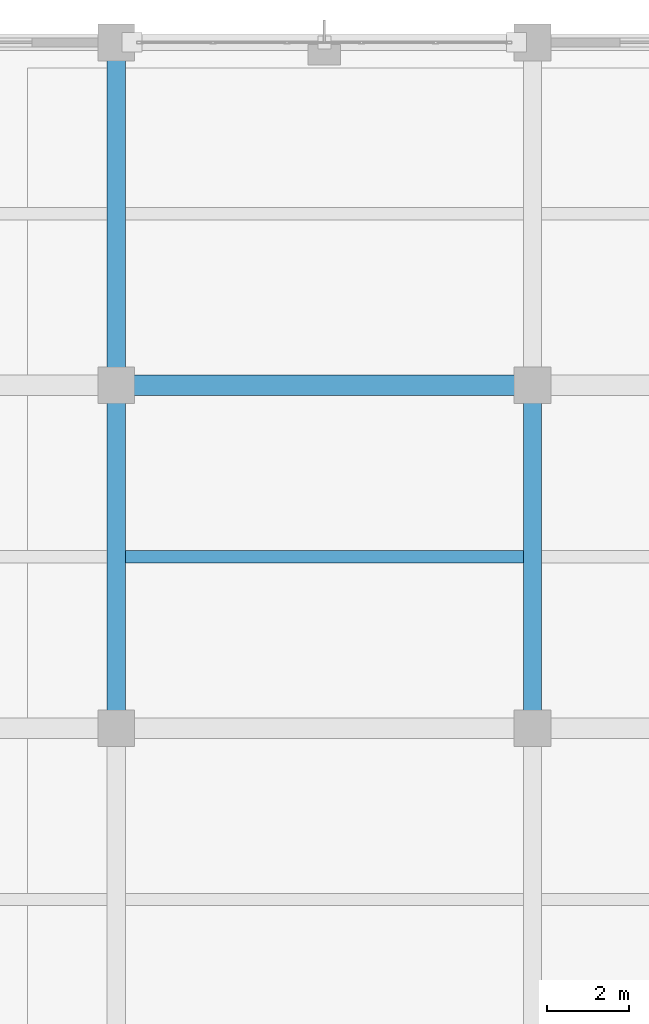
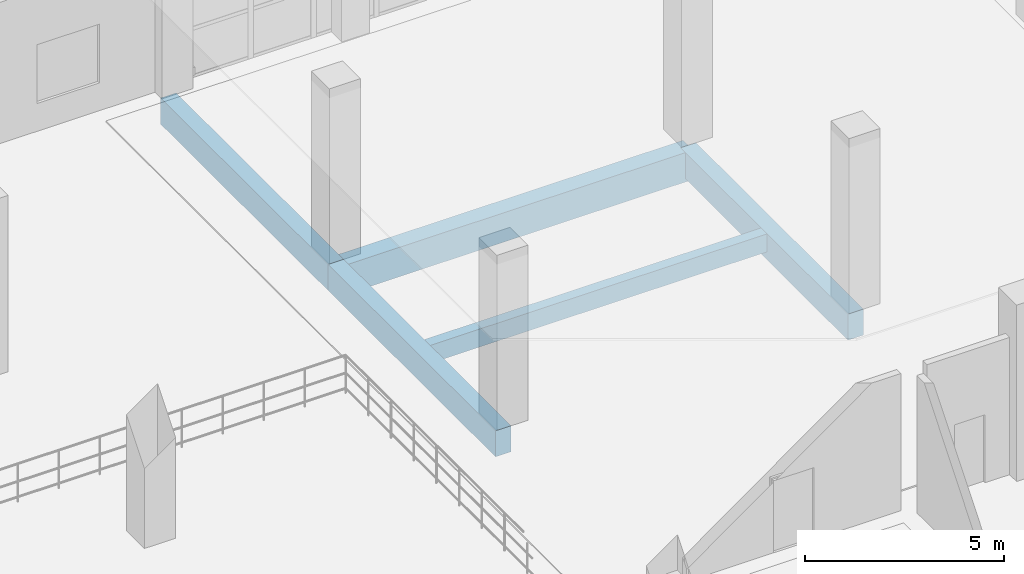
# One storey, part 90 of 175: 5 beams.
"""IFC4 building model written with IfcOpenShell, lengths in metres."""

from ifc_helpers import new_model, si_unit, direction, frame, origin, origin_2d, place, context, subcontext, project, spatial, rectangle, extrude, material, material_profile, profile_set, type_object, element, save


model = new_model("IFC4")

# Units and contexts
model_context = context("Model", 3, precision=1e-05, world=origin(), true_north=direction((0.0, 1.0)))
body_context = subcontext(model_context, "Body", "Model", "MODEL_VIEW")
ifc_project = project(units=[si_unit("LENGTHUNIT", "METRE"), si_unit("AREAUNIT", "SQUARE_METRE"), si_unit("VOLUMEUNIT", "CUBIC_METRE"), si_unit("PLANEANGLEUNIT", "RADIAN"), si_unit("MASSUNIT", "GRAM", prefix="KILO")], contexts=[model_context])

# Site, building, storey
site_placement = place(None, origin())
site = spatial("IfcSite", under=ifc_project, at=site_placement, CompositionType="ELEMENT")
building_placement = place(site_placement, origin())
building = spatial("IfcBuilding", under=site, at=building_placement, Name="Brelvane Convention Centre", CompositionType="ELEMENT")
storey_placement = place(building_placement, frame((0.0, 0.0, 5.39990234375)))
storey = spatial("IfcBuildingStorey", under=building, at=storey_placement, Name="L01", CompositionType="ELEMENT", Elevation=5.39990234375)

# Beams
ifc_material_1 = material(Name="Concrete M40", Category="concrete")
ifc_material_profile_1 = material_profile(ifc_material_1, rectangle(XDim=0.5, YDim=0.89990234375, at=origin_2d()), Name="RC 500x900")
ifc_profile_set_1 = profile_set([ifc_material_profile_1], Name="Concrete M40")
beam_type_1 = type_object("IfcBeamType", Name="RC Beam B-RC4 (RC 500x900)", PredefinedType="BEAM", material=ifc_profile_set_1)
beam_1_placement = place(storey_placement, frame((51.0, 135.60009765625, -0.77001953125), z_axis=(1.0, 0.0, 0.0), x_axis=(0.0, 1.0, 0.0)))
element("IfcBeam", 1, at=beam_1_placement, inside=storey, type_object=beam_type_1, Name="L01 Beam 6-7/P", PredefinedType="BEAM", context=body_context, shape_type="SweptSolid", body=[
    extrude(rectangle(XDim=0.5, YDim=0.89990234375, at=origin_2d()), origin(), (0.0, 0.0, 1.0), 10.199951171875),
])
ifc_material_2 = material(Name="Concrete M40", Category="concrete")
ifc_material_profile_2 = material_profile(ifc_material_2, rectangle(XDim=0.449951171875, YDim=0.800048828125, at=origin_2d()), Name="RC 450x800")
ifc_profile_set_2 = profile_set([ifc_material_profile_2], Name="Concrete M40")
beam_type_2 = type_object("IfcBeamType", Name="RC Beam B-RC5 (RC 450x800)", PredefinedType="BEAM", material=ifc_profile_set_2)
beam_2_placement = place(storey_placement, frame((51.0, 127.199951171875, -0.719970703125), z_axis=(0.0, 1.0, 0.0), x_axis=(-1.0, 0.0, 0.0)))
element("IfcBeam", 2, at=beam_2_placement, inside=storey, type_object=beam_type_2, Name="L01 Girder 6/N-P", PredefinedType="BEAM", context=body_context, shape_type="SweptSolid", body=[
    extrude(rectangle(XDim=0.449951171875, YDim=0.800048828125, at=origin_2d()), origin(), (0.0, 0.0, 1.0), 8.400146484375),
])
beam_3_placement = place(storey_placement, frame((51.0, 135.60009765625, -0.719970703125), z_axis=(0.0, 1.0, 0.0), x_axis=(-1.0, 0.0, 0.0)))
element("IfcBeam", 3, at=beam_3_placement, inside=storey, type_object=beam_type_2, Name="L01 Girder 6/P-Q", PredefinedType="BEAM", context=body_context, shape_type="SweptSolid", body=[
    extrude(rectangle(XDim=0.449951171875, YDim=0.800048828125, at=origin_2d()), origin(), (0.0, 0.0, 1.0), 8.39990234375),
])
beam_4_placement = place(storey_placement, frame((61.199951171875, 127.199951171875, -0.719970703125), z_axis=(0.0, 1.0, 0.0), x_axis=(-1.0, 0.0, 0.0)))
element("IfcBeam", 4, at=beam_4_placement, inside=storey, type_object=beam_type_2, Name="L01 Girder 7/N-P", PredefinedType="BEAM", context=body_context, shape_type="SweptSolid", body=[
    extrude(rectangle(XDim=0.449951171875, YDim=0.800048828125, at=origin_2d()), origin(), (0.0, 0.0, 1.0), 8.400146484375),
])
ifc_material_3 = material(Name="Concrete M40", Category="concrete")
ifc_material_profile_3 = material_profile(ifc_material_3, rectangle(XDim=0.300048828125, YDim=0.550048828125, at=origin_2d()), Name="RC 300x550")
ifc_profile_set_3 = profile_set([ifc_material_profile_3], Name="Concrete M40")
beam_type_3 = type_object("IfcBeamType", Name="RC Joist J-RC1 (RC 300x550)", PredefinedType="JOIST", material=ifc_profile_set_3)
beam_5_placement = place(storey_placement, frame((51.22509765625, 131.39990234375, -0.594970703125), z_axis=(1.0, 0.0, 0.0), x_axis=(0.0, 1.0, 0.0)))
element("IfcBeam", 5, at=beam_5_placement, inside=storey, type_object=beam_type_3, Name="L01 Secondary Joist 6-7/NP", PredefinedType="JOIST", context=body_context, shape_type="SweptSolid", body=[
    extrude(rectangle(XDim=0.300048828125, YDim=0.550048828125, at=origin_2d()), origin(), (0.0, 0.0, 1.0), 9.75),
])

save(model, "model.ifc")
